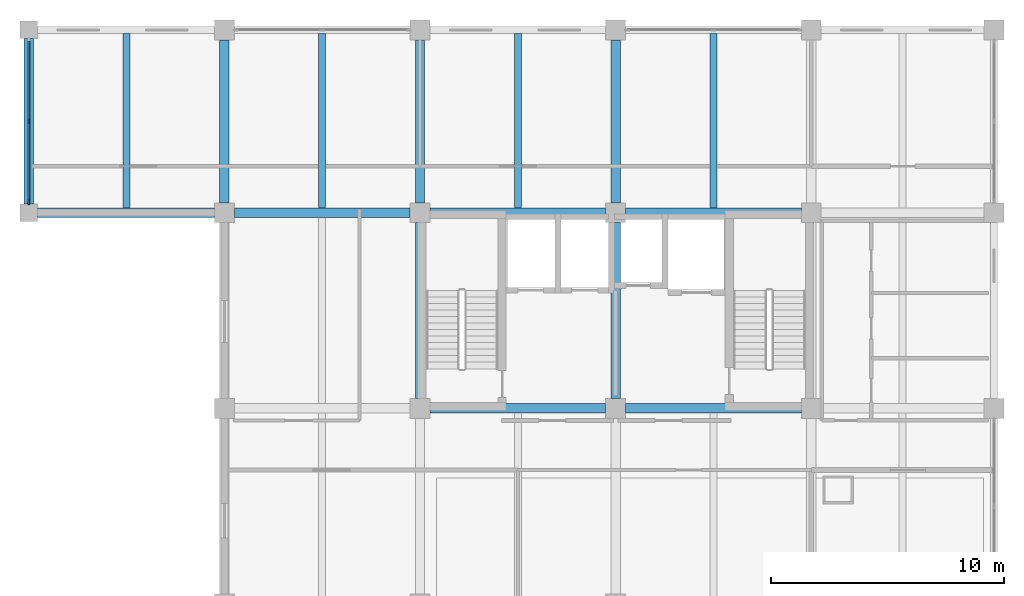
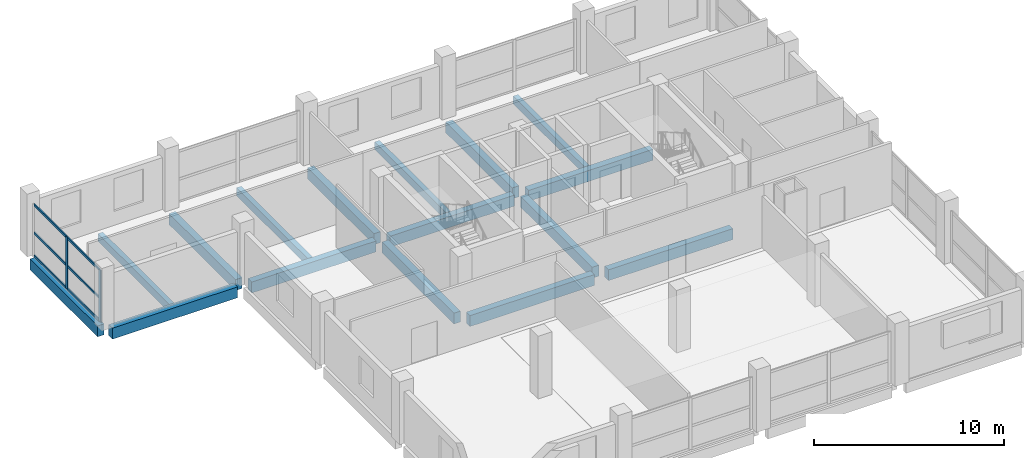
# One storey, part 3 of 9: 16 beams, 8 members, 1 element without a shape of its own.
"""IFC4 building model written with IfcOpenShell, lengths in metres."""

from ifc_helpers import new_model, si_unit, direction, frame, origin, origin_2d, place, context, subcontext, project, spatial, rectangle, extrude, material, material_profile, profile_set, type_object, element, aggregate, save


model = new_model("IFC4")

# Units and contexts
model_context = context("Model", 3, precision=1e-05, world=origin(), true_north=direction((0.0, 1.0)))
body_context = subcontext(model_context, "Body", "Model", "MODEL_VIEW")
ifc_project = project(units=[si_unit("LENGTHUNIT", "METRE"), si_unit("AREAUNIT", "SQUARE_METRE"), si_unit("VOLUMEUNIT", "CUBIC_METRE"), si_unit("PLANEANGLEUNIT", "RADIAN"), si_unit("MASSUNIT", "GRAM", prefix="KILO")], contexts=[model_context])

# Site, building, storey
site_placement = place(None, origin())
site = spatial("IfcSite", under=ifc_project, at=site_placement, CompositionType="ELEMENT")
building_placement = place(site_placement, origin())
building = spatial("IfcBuilding", under=site, at=building_placement, Name="Brinegate Botanical Conservatory", CompositionType="ELEMENT")
storey_placement = place(building_placement, frame((0.0, 0.0, 31.800048828125)))
storey = spatial("IfcBuildingStorey", under=building, at=storey_placement, Name="L08", CompositionType="ELEMENT", Elevation=31.800048828125)

# Beams
ifc_material_1 = material(Name="Concrete C40/50", Category="concrete")
ifc_material_profile_1 = material_profile(ifc_material_1, rectangle(XDim=0.39990234375, YDim=0.699951171875, at=origin_2d()), Name="RC BM 400x700")
ifc_profile_set_1 = profile_set([ifc_material_profile_1], Name="Concrete C40/50")
beam_type_1 = type_object("IfcBeamType", Name="Beam_BM-T2", PredefinedType="BEAM", material=ifc_profile_set_1)
beam_1_placement = place(storey_placement, frame((139.22509765625, 95.199951171875, -0.530029296875), z_axis=(1.0, 0.0, 0.0), x_axis=(0.0, 1.0, 0.0)))
element("IfcBeam", 1, at=beam_1_placement, inside=storey, type_object=beam_type_1, Name="Beam BM-T2 L08 M:18-19", PredefinedType="BEAM", context=body_context, shape_type="SweptSolid", body=[
    extrude(rectangle(XDim=0.39990234375, YDim=0.699951171875, at=origin_2d()), origin(), (0.0, 0.0, 1.0), 7.5498046875),
])
beam_2_placement = place(storey_placement, frame((147.625, 95.199951171875, -0.530029296875), z_axis=(1.0, 0.0, 0.0), x_axis=(0.0, 1.0, 0.0)))
element("IfcBeam", 2, at=beam_2_placement, inside=storey, type_object=beam_type_1, Name="Beam BM-T2 L08 M:19-20", PredefinedType="BEAM", context=body_context, shape_type="SweptSolid", body=[
    extrude(rectangle(XDim=0.39990234375, YDim=0.699951171875, at=origin_2d()), origin(), (0.0, 0.0, 1.0), 7.550048828125),
])
beam_3_placement = place(storey_placement, frame((122.375, 103.60009765625, -0.530029296875), z_axis=(1.0, 0.0, 0.0), x_axis=(0.0, 1.0, 0.0)))
element("IfcBeam", 3, at=beam_3_placement, inside=storey, type_object=beam_type_1, Name="Beam BM-T2 L08 N:16-17", PredefinedType="BEAM", context=body_context, shape_type="SweptSolid", body=[
    extrude(rectangle(XDim=0.39990234375, YDim=0.699951171875, at=origin_2d()), origin(), (0.0, 0.0, 1.0), 7.60009765625),
])
beam_4_placement = place(storey_placement, frame((130.824951171875, 103.60009765625, -0.530029296875), z_axis=(1.0, 0.0, 0.0), x_axis=(0.0, 1.0, 0.0)))
element("IfcBeam", 4, at=beam_4_placement, inside=storey, type_object=beam_type_1, Name="Beam BM-T2 L08 N:17-18", PredefinedType="BEAM", context=body_context, shape_type="SweptSolid", body=[
    extrude(rectangle(XDim=0.39990234375, YDim=0.699951171875, at=origin_2d()), origin(), (0.0, 0.0, 1.0), 7.550048828125),
])
beam_5_placement = place(storey_placement, frame((139.22509765625, 103.60009765625, -0.530029296875), z_axis=(1.0, 0.0, 0.0), x_axis=(0.0, 1.0, 0.0)))
element("IfcBeam", 5, at=beam_5_placement, inside=storey, type_object=beam_type_1, Name="Beam BM-T2 L08 N:18-19", PredefinedType="BEAM", context=body_context, shape_type="SweptSolid", body=[
    extrude(rectangle(XDim=0.39990234375, YDim=0.699951171875, at=origin_2d()), origin(), (0.0, 0.0, 1.0), 7.5498046875),
])
beam_6_placement = place(storey_placement, frame((147.625, 103.60009765625, -0.530029296875), z_axis=(1.0, 0.0, 0.0), x_axis=(0.0, 1.0, 0.0)))
element("IfcBeam", 6, at=beam_6_placement, inside=storey, type_object=beam_type_1, Name="Beam BM-T2 L08 N:19-20", PredefinedType="BEAM", context=body_context, shape_type="SweptSolid", body=[
    extrude(rectangle(XDim=0.39990234375, YDim=0.699951171875, at=origin_2d()), origin(), (0.0, 0.0, 1.0), 7.550048828125),
])
beam_7_placement = place(storey_placement, frame((122.0, 103.97509765625, -0.530029296875), z_axis=(0.0, 1.0, 0.0), x_axis=(-1.0, 0.0, 0.0)))
element("IfcBeam", 7, at=beam_7_placement, inside=storey, type_object=beam_type_1, Name="Beam BM-T2 L08 16:N-P", PredefinedType="BEAM", context=body_context, shape_type="SweptSolid", body=[
    extrude(rectangle(XDim=0.39990234375, YDim=0.699951171875, at=origin_2d()), origin(), (0.0, 0.0, 1.0), 7.099853515625),
])
beam_8_placement = place(storey_placement, frame((130.39990234375, 104.02490234375, -0.530029296875), z_axis=(0.0, 1.0, 0.0), x_axis=(-1.0, 0.0, 0.0)))
element("IfcBeam", 8, at=beam_8_placement, inside=storey, type_object=beam_type_1, Name="Beam BM-T2 L08 17:N-P", PredefinedType="BEAM", context=body_context, shape_type="SweptSolid", body=[
    extrude(rectangle(XDim=0.39990234375, YDim=0.699951171875, at=origin_2d()), origin(), (0.0, 0.0, 1.0), 7.0),
])
beam_9_placement = place(storey_placement, frame((138.800048828125, 95.625, -0.530029296875), z_axis=(0.0, 1.0, 0.0), x_axis=(-1.0, 0.0, 0.0)))
element("IfcBeam", 9, at=beam_9_placement, inside=storey, type_object=beam_type_1, Name="Beam BM-T2 L08 18:M-N", PredefinedType="BEAM", context=body_context, shape_type="SweptSolid", body=[
    extrude(rectangle(XDim=0.39990234375, YDim=0.699951171875, at=origin_2d()), origin(), (0.0, 0.0, 1.0), 7.550048828125),
])
beam_10_placement = place(storey_placement, frame((138.800048828125, 104.02490234375, -0.530029296875), z_axis=(0.0, 1.0, 0.0), x_axis=(-1.0, 0.0, 0.0)))
element("IfcBeam", 10, at=beam_10_placement, inside=storey, type_object=beam_type_1, Name="Beam BM-T2 L08 18:N-P", PredefinedType="BEAM", context=body_context, shape_type="SweptSolid", body=[
    extrude(rectangle(XDim=0.39990234375, YDim=0.699951171875, at=origin_2d()), origin(), (0.0, 0.0, 1.0), 7.0),
])
beam_11_placement = place(storey_placement, frame((147.199951171875, 95.625, -0.530029296875), z_axis=(0.0, 1.0, 0.0), x_axis=(-1.0, 0.0, 0.0)))
element("IfcBeam", 11, at=beam_11_placement, inside=storey, type_object=beam_type_1, Name="Beam BM-T2 L08 19:M-N", PredefinedType="BEAM", context=body_context, shape_type="SweptSolid", body=[
    extrude(rectangle(XDim=0.39990234375, YDim=0.699951171875, at=origin_2d()), origin(), (0.0, 0.0, 1.0), 7.550048828125),
])
beam_12_placement = place(storey_placement, frame((147.199951171875, 104.02490234375, -0.530029296875), z_axis=(0.0, 1.0, 0.0), x_axis=(-1.0, 0.0, 0.0)))
element("IfcBeam", 12, at=beam_12_placement, inside=storey, type_object=beam_type_1, Name="Beam BM-T2 L08 19:N-P", PredefinedType="BEAM", context=body_context, shape_type="SweptSolid", body=[
    extrude(rectangle(XDim=0.39990234375, YDim=0.699951171875, at=origin_2d()), origin(), (0.0, 0.0, 1.0), 7.0),
])
ifc_material_profile_2 = material_profile(ifc_material_1, rectangle(XDim=0.300048828125, YDim=0.5, at=origin_2d()), Name="RC JST 300x500")
ifc_profile_set_2 = profile_set([ifc_material_profile_2], Name="Concrete C40/50")
beam_type_2 = type_object("IfcBeamType", Name="Beam_JS-C2", PredefinedType="JOIST", material=ifc_profile_set_2)
for number, where, z_axis, x_axis, name in (
    (13, (126.199951171875, 103.800048828125, -0.429931640625), (0.0, 1.0, 0.0), (-1.0, 0.0, 0.0), "Floor joist JS-C2 L08 bay 16.13"),
    (14, (134.60009765625, 103.800048828125, -0.429931640625), (0.0, 1.0, 0.0), (-1.0, 0.0, 0.0), "Floor joist JS-C2 L08 bay 17.13"),
    (15, (143.0, 103.800048828125, -0.429931640625), (0.0, 1.0, 0.0), (-1.0, 0.0, 0.0), "Floor joist JS-C2 L08 bay 18.13"),
    (16, (151.39990234375, 103.800048828125, -0.429931640625), (0.0, 1.0, 0.0), (-1.0, 0.0, 0.0), "Floor joist JS-C2 L08 bay 19.13"),
):
    element("IfcBeam", number, at=place(storey_placement, frame(where, z_axis=z_axis, x_axis=x_axis)), inside=storey, type_object=beam_type_2, Name=name, PredefinedType="JOIST", context=body_context, shape_type="SweptSolid", body=[
        extrude(rectangle(XDim=0.300048828125, YDim=0.5, at=origin_2d()), origin(), (0.0, 0.0, 1.0), 7.5),
    ])

# Curtain wall, members
ifc_material_2 = material(Name="Thermally broken anodised aluminium AW-6063-T6", Category="aluminium")
curtain_wall_type = type_object("IfcCurtainWallType", Name="CW_CW-TW1", PredefinedType="USERDEFINED", material=ifc_material_2)
curtain_wall_placement = place(storey_placement, origin())
curtain_wall = element("IfcCurtainWall", 17, at=curtain_wall_placement, inside=storey, type_object=curtain_wall_type, Name="Tower north-west curtain wall L08", ObjectType="FACTORY CURTAIN WALL", PredefinedType="USERDEFINED")
ifc_material_profile_3 = material_profile(ifc_material_2, rectangle(XDim=0.070068359375, YDim=0.199951171875, at=origin_2d()), Name="ALUM MULLION 70x200")
ifc_profile_set_3 = profile_set([ifc_material_profile_3], Name="Thermally broken anodised aluminium AW-6063-T6")
member_type_1 = type_object("IfcMemberType", Name="Member_ML-03", PredefinedType="MULLION", material=ifc_profile_set_3)
member_1_placement = place(storey_placement, frame((122.0, 104.050048828125, 0.0), z_axis=(0.0, 0.0, 1.0), x_axis=(-1.0, 0.0, 0.0)))
member_1 = element("IfcMember", 18, at=member_1_placement, type_object=member_type_1, Name="CW-TW1 mullion 1", PredefinedType="MULLION", context=body_context, shape_type="SweptSolid", body=[
    extrude(rectangle(XDim=0.070068359375, YDim=0.199951171875, at=origin_2d()), origin(), (0.0, 0.0, 1.0), 3.320068359375),
])
member_2_placement = place(storey_placement, frame((122.0, 107.52490234375, 0.0), z_axis=(0.0, 0.0, 1.0), x_axis=(-1.0, 0.0, 0.0)))
member_2 = element("IfcMember", 19, at=member_2_placement, type_object=member_type_1, Name="CW-TW1 mullion 2", PredefinedType="MULLION", context=body_context, shape_type="SweptSolid", body=[
    extrude(rectangle(XDim=0.070068359375, YDim=0.199951171875, at=origin_2d()), origin(), (0.0, 0.0, 1.0), 3.320068359375),
])
ifc_material_profile_4 = material_profile(ifc_material_2, rectangle(XDim=0.070068359375, YDim=0.14990234375, at=origin_2d()), Name="ALUM TRANSOM 70x150")
ifc_profile_set_4 = profile_set([ifc_material_profile_4], Name="Thermally broken anodised aluminium AW-6063-T6")
member_type_2 = type_object("IfcMemberType", Name="Member_TR-03", PredefinedType="USERDEFINED", material=ifc_profile_set_4)
member_3_placement = place(storey_placement, frame((122.0, 104.0849609375, 0.034912109375), z_axis=(0.0, 1.0, 0.0), x_axis=(-1.0, 0.0, 0.0)))
member_3 = element("IfcMember", 20, at=member_3_placement, type_object=member_type_2, Name="CW-TW1 transom 1.1", ObjectType="TRANSOM", PredefinedType="USERDEFINED", context=body_context, shape_type="SweptSolid", body=[
    extrude(rectangle(XDim=0.070068359375, YDim=0.14990234375, at=origin_2d()), origin(), (0.0, 0.0, 1.0), 3.405029296875),
])
member_4_placement = place(storey_placement, frame((122.0, 104.0849609375, 1.493896484375), z_axis=(0.0, 1.0, 0.0), x_axis=(-1.0, 0.0, 0.0)))
member_4 = element("IfcMember", 21, at=member_4_placement, type_object=member_type_2, Name="CW-TW1 transom 1.2", ObjectType="TRANSOM", PredefinedType="USERDEFINED", context=body_context, shape_type="SweptSolid", body=[
    extrude(rectangle(XDim=0.070068359375, YDim=0.14990234375, at=origin_2d()), origin(), (0.0, 0.0, 1.0), 3.405029296875),
])
member_5_placement = place(storey_placement, frame((122.0, 104.0849609375, 3.284912109375), z_axis=(0.0, 1.0, 0.0), x_axis=(-1.0, 0.0, 0.0)))
member_5 = element("IfcMember", 22, at=member_5_placement, type_object=member_type_2, Name="CW-TW1 transom 1.3", ObjectType="TRANSOM", PredefinedType="USERDEFINED", context=body_context, shape_type="SweptSolid", body=[
    extrude(rectangle(XDim=0.070068359375, YDim=0.14990234375, at=origin_2d()), origin(), (0.0, 0.0, 1.0), 3.405029296875),
])
member_6_placement = place(storey_placement, frame((122.0, 107.56005859375, 0.034912109375), z_axis=(0.0, 1.0, 0.0), x_axis=(-1.0, 0.0, 0.0)))
member_6 = element("IfcMember", 23, at=member_6_placement, type_object=member_type_2, Name="CW-TW1 transom 2.1", ObjectType="TRANSOM", PredefinedType="USERDEFINED", context=body_context, shape_type="SweptSolid", body=[
    extrude(rectangle(XDim=0.070068359375, YDim=0.14990234375, at=origin_2d()), origin(), (0.0, 0.0, 1.0), 3.405029296875),
])
member_7_placement = place(storey_placement, frame((122.0, 107.56005859375, 1.493896484375), z_axis=(0.0, 1.0, 0.0), x_axis=(-1.0, 0.0, 0.0)))
member_7 = element("IfcMember", 24, at=member_7_placement, type_object=member_type_2, Name="CW-TW1 transom 2.2", ObjectType="TRANSOM", PredefinedType="USERDEFINED", context=body_context, shape_type="SweptSolid", body=[
    extrude(rectangle(XDim=0.070068359375, YDim=0.14990234375, at=origin_2d()), origin(), (0.0, 0.0, 1.0), 3.405029296875),
])
member_8_placement = place(storey_placement, frame((122.0, 107.56005859375, 3.284912109375), z_axis=(0.0, 1.0, 0.0), x_axis=(-1.0, 0.0, 0.0)))
member_8 = element("IfcMember", 25, at=member_8_placement, type_object=member_type_2, Name="CW-TW1 transom 2.3", ObjectType="TRANSOM", PredefinedType="USERDEFINED", context=body_context, shape_type="SweptSolid", body=[
    extrude(rectangle(XDim=0.070068359375, YDim=0.14990234375, at=origin_2d()), origin(), (0.0, 0.0, 1.0), 3.405029296875),
])
aggregate(curtain_wall, [member_1, member_2, member_3, member_4, member_5, member_6, member_7, member_8])

save(model, "model.ifc")
